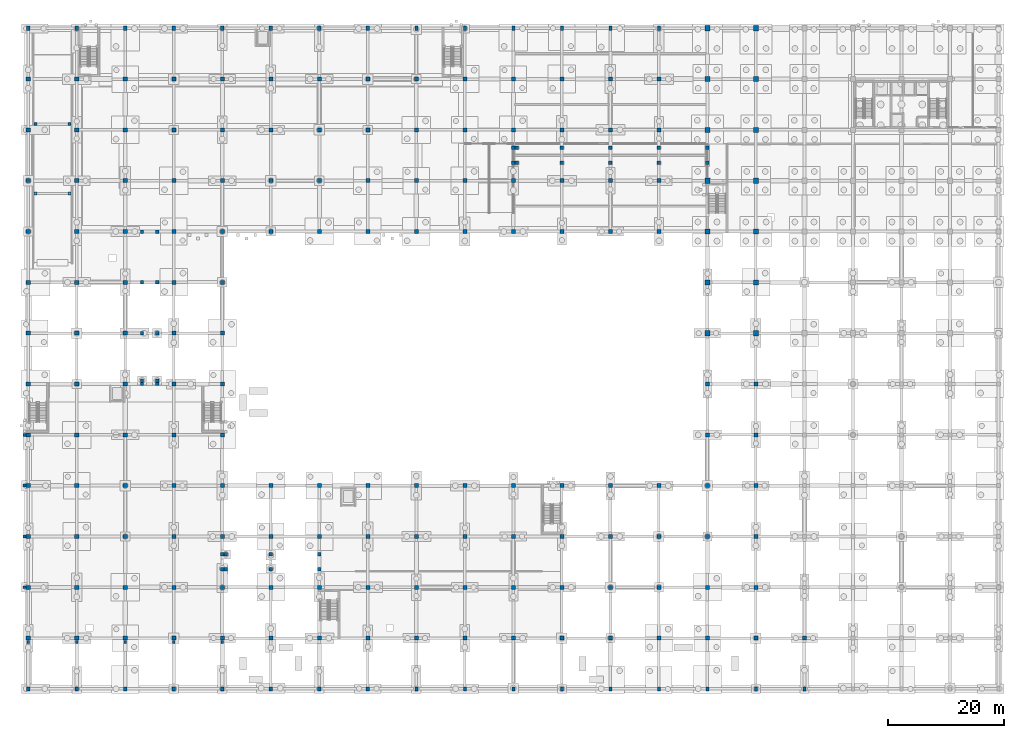
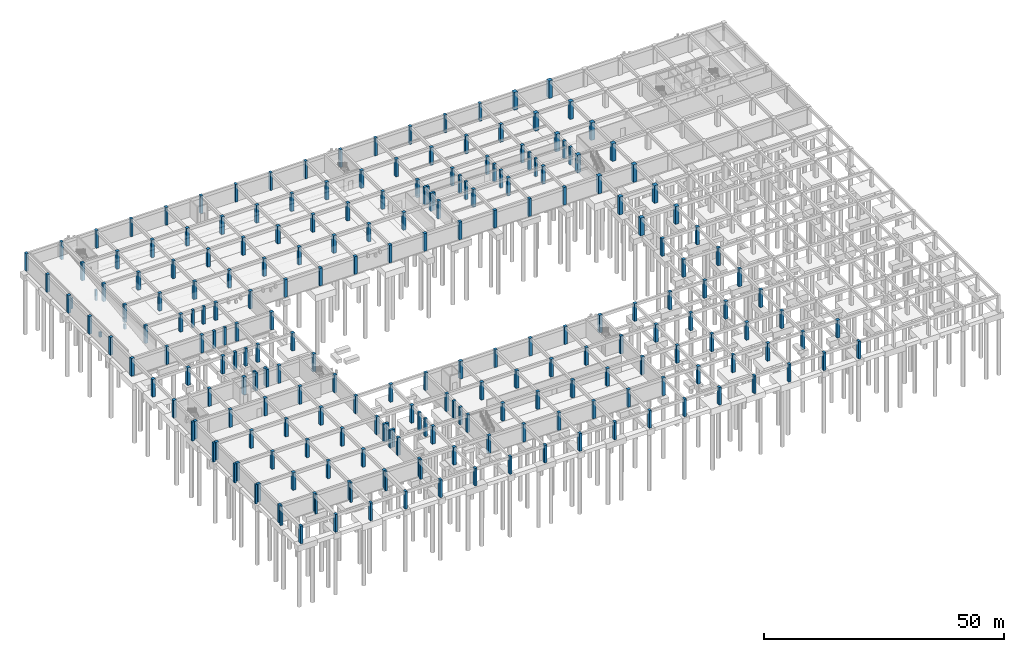
# One storey, part 13 of 41: 233 columns.
"""IFC4 building model written with IfcOpenShell, lengths in metres."""

from ifc_helpers import new_model, si_unit, direction, frame, origin, origin_2d, place, context, subcontext, project, spatial, rectangle, extrude, material, material_profile, profile_set, type_object, element, save


model = new_model("IFC4")

# Units and contexts
model_context = context("Model", 3, precision=1e-05, world=origin(), true_north=direction((0.0, 1.0)))
body_context = subcontext(model_context, "Body", "Model", "MODEL_VIEW")
ifc_project = project(units=[si_unit("LENGTHUNIT", "METRE"), si_unit("AREAUNIT", "SQUARE_METRE"), si_unit("VOLUMEUNIT", "CUBIC_METRE"), si_unit("PLANEANGLEUNIT", "RADIAN"), si_unit("MASSUNIT", "GRAM", prefix="KILO")], contexts=[model_context])

# Site, building, storey
site_placement = place(None, origin())
site = spatial("IfcSite", under=ifc_project, at=site_placement, CompositionType="ELEMENT")
building_placement = place(site_placement, origin())
building = spatial("IfcBuilding", under=site, at=building_placement, Name="Kemercrest Conservatory and Botanical Centre", CompositionType="ELEMENT")
storey_placement = place(building_placement, frame((0.0, 0.0, -4.5)))
storey = spatial("IfcBuildingStorey", under=building, at=storey_placement, Name="B1", CompositionType="ELEMENT", Elevation=-4.5)

# Columns
ifc_material_1 = material(Name="Concrete C40/50", Category="concrete")
ifc_material_profile_1 = material_profile(ifc_material_1, rectangle(XDim=0.5, YDim=0.5, at=origin_2d()), Name="RC 500x500")
ifc_profile_set_1 = profile_set([ifc_material_profile_1], Name="Concrete C40/50")
column_type_1 = type_object("IfcColumnType", Name="C-RC50", PredefinedType="COLUMN", material=ifc_profile_set_1)
for number, where, z_axis, x_axis, name in (
    (1, (8.0, 16.159912109375, -0.409912109375), (0.0, 0.0, 1.0), (1.0, 0.0, 0.0), "Basement pilaster pier 01/B"),
    (2, (16.39990234375, 16.159912109375, -0.409912109375), (0.0, 0.0, 1.0), (1.0, 0.0, 0.0), "Basement pilaster pier 02/B"),
    (3, (24.800048828125, 16.159912109375, -0.409912109375), (0.0, 0.0, 1.0), (1.0, 0.0, 0.0), "Basement pilaster pier 03/B"),
    (4, (33.199951171875, 16.159912109375, -0.409912109375), (0.0, 0.0, 1.0), (1.0, 0.0, 0.0), "Basement pilaster pier 04/B"),
    (5, (41.60009765625, 16.159912109375, -0.409912109375), (0.0, 0.0, 1.0), (1.0, 0.0, 0.0), "Basement pilaster pier 05/B"),
    (6, (7.360107421875, 25.60009765625, -0.409912109375), (0.0, 0.0, 1.0), (1.0, 0.0, 0.0), "Basement pilaster pier 01/C"),
    (7, (7.360107421875, 34.39990234375, -0.409912109375), (0.0, 0.0, 1.0), (1.0, 0.0, 0.0), "Basement pilaster pier 01/D"),
    (8, (7.360107421875, 43.199951171875, -0.409912109375), (0.0, 0.0, 1.0), (1.0, 0.0, 0.0), "Basement pilaster pier 01/E"),
    (9, (7.360107421875, 52.0, -0.409912109375), (0.0, 0.0, 1.0), (1.0, 0.0, 0.0), "Basement pilaster pier 01/F"),
):
    element("IfcColumn", number, at=place(storey_placement, frame(where, z_axis=z_axis, x_axis=x_axis)), inside=storey, type_object=column_type_1, Name=name, PredefinedType="COLUMN", context=body_context, shape_type="SweptSolid", body=[
        extrude(rectangle(XDim=0.5, YDim=0.5, at=origin_2d()), origin(), (0.0, 0.0, 1.0), 4.909912109375),
    ])
for number, where, z_axis, x_axis, name in (
    (10, (9.25, 93.800048828125, 0.0), (0.0, 0.0, 1.0), (1.0, 0.0, 0.0), "Vehicle ramp R1 support pier 1-W"),
    (11, (15.14990234375, 93.800048828125, 0.0), (0.0, 0.0, 1.0), (1.0, 0.0, 0.0), "Vehicle ramp R1 support pier 1-E"),
):
    element("IfcColumn", number, at=place(storey_placement, frame(where, z_axis=z_axis, x_axis=x_axis)), inside=storey, type_object=column_type_1, Name=name, PredefinedType="COLUMN", context=body_context, shape_type="SweptSolid", body=[
        extrude(rectangle(XDim=0.5, YDim=0.5, at=origin_2d()), origin(), (0.0, 0.0, 1.0), 1.199951171875),
    ])
for number, where, z_axis, x_axis, name in (
    (12, (9.25, 105.800048828125, 0.0), (0.0, 0.0, 1.0), (1.0, 0.0, 0.0), "Vehicle ramp R1 support pier 2-W"),
    (13, (15.14990234375, 105.800048828125, 0.0), (0.0, 0.0, 1.0), (1.0, 0.0, 0.0), "Vehicle ramp R1 support pier 2-E"),
):
    element("IfcColumn", number, at=place(storey_placement, frame(where, z_axis=z_axis, x_axis=x_axis)), inside=storey, type_object=column_type_1, Name=name, PredefinedType="COLUMN", context=body_context, shape_type="SweptSolid", body=[
        extrude(rectangle(XDim=0.5, YDim=0.5, at=origin_2d()), origin(), (0.0, 0.0, 1.0), 2.699951171875),
    ])
ifc_material_profile_2 = material_profile(ifc_material_1, rectangle(XDim=0.60009765625, YDim=0.60009765625, at=origin_2d()), Name="RC 600x600")
ifc_profile_set_2 = profile_set([ifc_material_profile_2], Name="Concrete C40/50")
column_type_2 = type_object("IfcColumnType", Name="C-RC60", PredefinedType="COLUMN", material=ifc_profile_set_2)
for number, where, z_axis, x_axis, name in (
    (14, (42.199951171875, 28.699951171875, 0.0), (0.0, 0.0, 1.0), (1.0, 0.0, 0.0), "Basement bridge pier column SJ-1-P0-1"),
    (15, (42.199951171875, 31.300048828125, 0.0), (0.0, 0.0, 1.0), (1.0, 0.0, 0.0), "Basement bridge pier column SJ-1-P0-2"),
    (16, (50.0, 28.699951171875, 0.0), (0.0, 0.0, 1.0), (1.0, 0.0, 0.0), "Basement bridge pier column SJ-1-P1-1"),
    (17, (50.0, 31.300048828125, 0.0), (0.0, 0.0, 1.0), (1.0, 0.0, 0.0), "Basement bridge pier column SJ-1-P1-2"),
    (18, (27.699951171875, 61.39990234375, 0.0), (0.0, 0.0, 1.0), (1.0, 0.0, 0.0), "Basement bridge pier column SJ-2-P0-1"),
    (19, (30.300048828125, 61.39990234375, 0.0), (0.0, 0.0, 1.0), (1.0, 0.0, 0.0), "Basement bridge pier column SJ-2-P0-2"),
    (20, (27.699951171875, 69.60009765625, 0.0), (0.0, 0.0, 1.0), (1.0, 0.0, 0.0), "Basement bridge pier column SJ-2-P1-1"),
    (21, (30.300048828125, 69.60009765625, 0.0), (0.0, 0.0, 1.0), (1.0, 0.0, 0.0), "Basement bridge pier column SJ-2-P1-2"),
    (22, (27.699951171875, 78.39990234375, 0.0), (0.0, 0.0, 1.0), (1.0, 0.0, 0.0), "Basement bridge pier column SJ-2-P2-1"),
    (23, (30.300048828125, 78.39990234375, 0.0), (0.0, 0.0, 1.0), (1.0, 0.0, 0.0), "Basement bridge pier column SJ-2-P2-2"),
    (24, (92.60009765625, 99.10009765625, 0.0), (0.0, 0.0, 1.0), (1.0, 0.0, 0.0), "Basement bridge pier column SJ-3-P0-1"),
    (25, (92.60009765625, 101.699951171875, 0.0), (0.0, 0.0, 1.0), (1.0, 0.0, 0.0), "Basement bridge pier column SJ-3-P0-2"),
    (26, (100.39990234375, 99.10009765625, 0.0), (0.0, 0.0, 1.0), (1.0, 0.0, 0.0), "Basement bridge pier column SJ-3-P1-1"),
    (27, (100.39990234375, 101.699951171875, 0.0), (0.0, 0.0, 1.0), (1.0, 0.0, 0.0), "Basement bridge pier column SJ-3-P1-2"),
    (28, (108.800048828125, 99.10009765625, 0.0), (0.0, 0.0, 1.0), (1.0, 0.0, 0.0), "Basement bridge pier column SJ-3-P2-1"),
    (29, (108.800048828125, 101.699951171875, 0.0), (0.0, 0.0, 1.0), (1.0, 0.0, 0.0), "Basement bridge pier column SJ-3-P2-2"),
    (30, (117.199951171875, 99.10009765625, 0.0), (0.0, 0.0, 1.0), (1.0, 0.0, 0.0), "Basement bridge pier column SJ-3-P3-1"),
    (31, (117.199951171875, 101.699951171875, 0.0), (0.0, 0.0, 1.0), (1.0, 0.0, 0.0), "Basement bridge pier column SJ-3-P3-2"),
    (32, (41.60009765625, 28.699951171875, 0.0), (0.0, 0.0, 1.0), (1.0, 0.0, 0.0), "South Courtyard Covered Passage SJ-1 org pier column 1"),
    (33, (41.60009765625, 31.300048828125, 0.0), (0.0, 0.0, 1.0), (1.0, 0.0, 0.0), "South Courtyard Covered Passage SJ-1 org pier column 2"),
    (34, (58.39990234375, 28.699951171875, 0.0), (0.0, 0.0, 1.0), (1.0, 0.0, 0.0), "South Courtyard Covered Passage SJ-1 rcv pier column 1"),
    (35, (58.39990234375, 31.300048828125, 0.0), (0.0, 0.0, 1.0), (1.0, 0.0, 0.0), "South Courtyard Covered Passage SJ-1 rcv pier column 2"),
    (36, (27.699951171875, 60.800048828125, 0.0), (0.0, 0.0, 1.0), (1.0, 0.0, 0.0), "West Botanical Court Covered Passage SJ-2 org pier column 1"),
    (37, (30.300048828125, 60.800048828125, 0.0), (0.0, 0.0, 1.0), (1.0, 0.0, 0.0), "West Botanical Court Covered Passage SJ-2 org pier column 2"),
    (38, (27.699951171875, 87.199951171875, 0.0), (0.0, 0.0, 1.0), (1.0, 0.0, 0.0), "West Botanical Court Covered Passage SJ-2 rcv pier column 1"),
    (39, (30.300048828125, 87.199951171875, 0.0), (0.0, 0.0, 1.0), (1.0, 0.0, 0.0), "West Botanical Court Covered Passage SJ-2 rcv pier column 2"),
    (40, (92.0, 99.10009765625, 0.0), (0.0, 0.0, 1.0), (1.0, 0.0, 0.0), "North Courtyard Covered Passage SJ-3 org pier column 1"),
    (41, (92.0, 101.699951171875, 0.0), (0.0, 0.0, 1.0), (1.0, 0.0, 0.0), "North Courtyard Covered Passage SJ-3 org pier column 2"),
    (42, (125.60009765625, 99.10009765625, 0.0), (0.0, 0.0, 1.0), (1.0, 0.0, 0.0), "North Courtyard Covered Passage SJ-3 rcv pier column 1"),
    (43, (125.60009765625, 101.699951171875, 0.0), (0.0, 0.0, 1.0), (1.0, 0.0, 0.0), "North Courtyard Covered Passage SJ-3 rcv pier column 2"),
):
    element("IfcColumn", number, at=place(storey_placement, frame(where, z_axis=z_axis, x_axis=x_axis)), inside=storey, type_object=column_type_2, Name=name, PredefinedType="COLUMN", context=body_context, shape_type="SweptSolid", body=[
        extrude(rectangle(XDim=0.60009765625, YDim=0.60009765625, at=origin_2d()), origin(), (0.0, 0.0, 1.0), 4.5),
    ])
ifc_material_2 = material(Name="Concrete C50/60", Category="concrete")
ifc_material_profile_3 = material_profile(ifc_material_2, rectangle(XDim=0.699951171875, YDim=0.699951171875, at=origin_2d()), Name="RC 700x700")
ifc_profile_set_3 = profile_set([ifc_material_profile_3], Name="Concrete C50/60")
column_type_3 = type_object("IfcColumnType", Name="C-RC70", PredefinedType="COLUMN", material=ifc_profile_set_3)
for number, where, z_axis, x_axis, name in (
    (44, (8.0, 16.800048828125, 0.0), (0.0, 0.0, 1.0), (1.0, 0.0, 0.0), "Basement column C-RC70 at 01/B"),
    (45, (8.0, 25.60009765625, 0.0), (0.0, 0.0, 1.0), (1.0, 0.0, 0.0), "Basement column C-RC70 at 01/C"),
    (46, (8.0, 34.39990234375, 0.0), (0.0, 0.0, 1.0), (1.0, 0.0, 0.0), "Basement column C-RC70 at 01/D"),
    (47, (8.0, 43.199951171875, 0.0), (0.0, 0.0, 1.0), (1.0, 0.0, 0.0), "Basement column C-RC70 at 01/E"),
    (48, (8.0, 52.0, 0.0), (0.0, 0.0, 1.0), (1.0, 0.0, 0.0), "Basement column C-RC70 at 01/F"),
    (49, (8.0, 60.800048828125, 0.0), (0.0, 0.0, 1.0), (1.0, 0.0, 0.0), "Basement column C-RC70 at 01/G"),
    (50, (8.0, 69.60009765625, 0.0), (0.0, 0.0, 1.0), (1.0, 0.0, 0.0), "Basement column C-RC70 at 01/H"),
    (51, (8.0, 78.39990234375, 0.0), (0.0, 0.0, 1.0), (1.0, 0.0, 0.0), "Basement column C-RC70 at 01/J"),
    (52, (8.0, 87.199951171875, 0.0), (0.0, 0.0, 1.0), (1.0, 0.0, 0.0), "Basement column C-RC70 at 01/K"),
    (53, (8.0, 96.0, 0.0), (0.0, 0.0, 1.0), (1.0, 0.0, 0.0), "Basement column C-RC70 at 01/L"),
    (54, (8.0, 104.800048828125, 0.0), (0.0, 0.0, 1.0), (1.0, 0.0, 0.0), "Basement column C-RC70 at 01/M"),
    (55, (8.0, 113.60009765625, 0.0), (0.0, 0.0, 1.0), (1.0, 0.0, 0.0), "Basement column C-RC70 at 01/N"),
    (56, (16.39990234375, 16.800048828125, 0.0), (0.0, 0.0, 1.0), (1.0, 0.0, 0.0), "Basement column C-RC70 at 02/B"),
    (57, (16.39990234375, 25.60009765625, 0.0), (0.0, 0.0, 1.0), (1.0, 0.0, 0.0), "Basement column C-RC70 at 02/C"),
    (58, (16.39990234375, 34.39990234375, 0.0), (0.0, 0.0, 1.0), (1.0, 0.0, 0.0), "Basement column C-RC70 at 02/D"),
    (59, (16.39990234375, 43.199951171875, 0.0), (0.0, 0.0, 1.0), (1.0, 0.0, 0.0), "Basement column C-RC70 at 02/E"),
    (60, (16.39990234375, 52.0, 0.0), (0.0, 0.0, 1.0), (1.0, 0.0, 0.0), "Basement column C-RC70 at 02/F"),
    (61, (16.39990234375, 60.800048828125, 0.0), (0.0, 0.0, 1.0), (1.0, 0.0, 0.0), "Basement column C-RC70 at 02/G"),
    (62, (16.39990234375, 69.60009765625, 0.0), (0.0, 0.0, 1.0), (1.0, 0.0, 0.0), "Basement column C-RC70 at 02/H"),
    (63, (16.39990234375, 78.39990234375, 0.0), (0.0, 0.0, 1.0), (1.0, 0.0, 0.0), "Basement column C-RC70 at 02/J"),
    (64, (16.39990234375, 87.199951171875, 0.0), (0.0, 0.0, 1.0), (1.0, 0.0, 0.0), "Basement column C-RC70 at 02/K"),
    (65, (16.39990234375, 96.0, 0.0), (0.0, 0.0, 1.0), (1.0, 0.0, 0.0), "Basement column C-RC70 at 02/L"),
    (66, (16.39990234375, 104.800048828125, 0.0), (0.0, 0.0, 1.0), (1.0, 0.0, 0.0), "Basement column C-RC70 at 02/M"),
    (67, (16.39990234375, 113.60009765625, 0.0), (0.0, 0.0, 1.0), (1.0, 0.0, 0.0), "Basement column C-RC70 at 02/N"),
    (68, (24.800048828125, 16.800048828125, 0.0), (0.0, 0.0, 1.0), (1.0, 0.0, 0.0), "Basement column C-RC70 at 03/B"),
    (69, (24.800048828125, 25.60009765625, 0.0), (0.0, 0.0, 1.0), (1.0, 0.0, 0.0), "Basement column C-RC70 at 03/C"),
    (70, (24.800048828125, 34.39990234375, 0.0), (0.0, 0.0, 1.0), (1.0, 0.0, 0.0), "Basement column C-RC70 at 03/D"),
    (71, (24.800048828125, 43.199951171875, 0.0), (0.0, 0.0, 1.0), (1.0, 0.0, 0.0), "Basement column C-RC70 at 03/E"),
    (72, (24.800048828125, 52.0, 0.0), (0.0, 0.0, 1.0), (1.0, 0.0, 0.0), "Basement column C-RC70 at 03/F"),
    (73, (24.800048828125, 60.800048828125, 0.0), (0.0, 0.0, 1.0), (1.0, 0.0, 0.0), "Basement column C-RC70 at 03/G"),
    (74, (24.800048828125, 69.60009765625, 0.0), (0.0, 0.0, 1.0), (1.0, 0.0, 0.0), "Basement column C-RC70 at 03/H"),
    (75, (24.800048828125, 78.39990234375, 0.0), (0.0, 0.0, 1.0), (1.0, 0.0, 0.0), "Basement column C-RC70 at 03/J"),
    (76, (24.800048828125, 87.199951171875, 0.0), (0.0, 0.0, 1.0), (1.0, 0.0, 0.0), "Basement column C-RC70 at 03/K"),
    (77, (24.800048828125, 96.0, 0.0), (0.0, 0.0, 1.0), (1.0, 0.0, 0.0), "Basement column C-RC70 at 03/L"),
    (78, (24.800048828125, 104.800048828125, 0.0), (0.0, 0.0, 1.0), (1.0, 0.0, 0.0), "Basement column C-RC70 at 03/M"),
    (79, (24.800048828125, 113.60009765625, 0.0), (0.0, 0.0, 1.0), (1.0, 0.0, 0.0), "Basement column C-RC70 at 03/N"),
    (80, (33.199951171875, 16.800048828125, 0.0), (0.0, 0.0, 1.0), (1.0, 0.0, 0.0), "Basement column C-RC70 at 04/B"),
    (81, (33.199951171875, 25.60009765625, 0.0), (0.0, 0.0, 1.0), (1.0, 0.0, 0.0), "Basement column C-RC70 at 04/C"),
    (82, (33.199951171875, 34.39990234375, 0.0), (0.0, 0.0, 1.0), (1.0, 0.0, 0.0), "Basement column C-RC70 at 04/D"),
    (83, (33.199951171875, 43.199951171875, 0.0), (0.0, 0.0, 1.0), (1.0, 0.0, 0.0), "Basement column C-RC70 at 04/E"),
    (84, (33.199951171875, 52.0, 0.0), (0.0, 0.0, 1.0), (1.0, 0.0, 0.0), "Basement column C-RC70 at 04/F"),
    (85, (33.199951171875, 60.800048828125, 0.0), (0.0, 0.0, 1.0), (1.0, 0.0, 0.0), "Basement column C-RC70 at 04/G"),
    (86, (33.199951171875, 69.60009765625, 0.0), (0.0, 0.0, 1.0), (1.0, 0.0, 0.0), "Basement column C-RC70 at 04/H"),
    (87, (33.199951171875, 78.39990234375, 0.0), (0.0, 0.0, 1.0), (1.0, 0.0, 0.0), "Basement column C-RC70 at 04/J"),
    (88, (33.199951171875, 87.199951171875, 0.0), (0.0, 0.0, 1.0), (1.0, 0.0, 0.0), "Basement column C-RC70 at 04/K"),
    (89, (33.199951171875, 96.0, 0.0), (0.0, 0.0, 1.0), (1.0, 0.0, 0.0), "Basement column C-RC70 at 04/L"),
    (90, (33.199951171875, 104.800048828125, 0.0), (0.0, 0.0, 1.0), (1.0, 0.0, 0.0), "Basement column C-RC70 at 04/M"),
    (91, (33.199951171875, 113.60009765625, 0.0), (0.0, 0.0, 1.0), (1.0, 0.0, 0.0), "Basement column C-RC70 at 04/N"),
    (92, (41.60009765625, 16.800048828125, 0.0), (0.0, 0.0, 1.0), (1.0, 0.0, 0.0), "Basement column C-RC70 at 05/B"),
    (93, (41.60009765625, 25.60009765625, 0.0), (0.0, 0.0, 1.0), (1.0, 0.0, 0.0), "Basement column C-RC70 at 05/C"),
    (94, (41.60009765625, 34.39990234375, 0.0), (0.0, 0.0, 1.0), (1.0, 0.0, 0.0), "Basement column C-RC70 at 05/D"),
    (95, (41.60009765625, 43.199951171875, 0.0), (0.0, 0.0, 1.0), (1.0, 0.0, 0.0), "Basement column C-RC70 at 05/E"),
    (96, (41.60009765625, 52.0, 0.0), (0.0, 0.0, 1.0), (1.0, 0.0, 0.0), "Basement column C-RC70 at 05/F"),
    (97, (41.60009765625, 60.800048828125, 0.0), (0.0, 0.0, 1.0), (1.0, 0.0, 0.0), "Basement column C-RC70 at 05/G"),
    (98, (41.60009765625, 69.60009765625, 0.0), (0.0, 0.0, 1.0), (1.0, 0.0, 0.0), "Basement column C-RC70 at 05/H"),
    (99, (41.60009765625, 78.39990234375, 0.0), (0.0, 0.0, 1.0), (1.0, 0.0, 0.0), "Basement column C-RC70 at 05/J"),
    (100, (41.60009765625, 87.199951171875, 0.0), (0.0, 0.0, 1.0), (1.0, 0.0, 0.0), "Basement column C-RC70 at 05/K"),
    (101, (41.60009765625, 96.0, 0.0), (0.0, 0.0, 1.0), (1.0, 0.0, 0.0), "Basement column C-RC70 at 05/L"),
    (102, (41.60009765625, 104.800048828125, 0.0), (0.0, 0.0, 1.0), (1.0, 0.0, 0.0), "Basement column C-RC70 at 05/M"),
    (103, (41.60009765625, 113.60009765625, 0.0), (0.0, 0.0, 1.0), (1.0, 0.0, 0.0), "Basement column C-RC70 at 05/N"),
    (104, (50.0, 16.800048828125, 0.0), (0.0, 0.0, 1.0), (1.0, 0.0, 0.0), "Basement column C-RC70 at 06/B"),
    (105, (50.0, 25.60009765625, 0.0), (0.0, 0.0, 1.0), (1.0, 0.0, 0.0), "Basement column C-RC70 at 06/C"),
    (106, (50.0, 34.39990234375, 0.0), (0.0, 0.0, 1.0), (1.0, 0.0, 0.0), "Basement column C-RC70 at 06/D"),
    (107, (50.0, 43.199951171875, 0.0), (0.0, 0.0, 1.0), (1.0, 0.0, 0.0), "Basement column C-RC70 at 06/E"),
    (108, (50.0, 87.199951171875, 0.0), (0.0, 0.0, 1.0), (1.0, 0.0, 0.0), "Basement column C-RC70 at 06/K"),
    (109, (50.0, 96.0, 0.0), (0.0, 0.0, 1.0), (1.0, 0.0, 0.0), "Basement column C-RC70 at 06/L"),
    (110, (50.0, 104.800048828125, 0.0), (0.0, 0.0, 1.0), (1.0, 0.0, 0.0), "Basement column C-RC70 at 06/M"),
    (111, (50.0, 113.60009765625, 0.0), (0.0, 0.0, 1.0), (1.0, 0.0, 0.0), "Basement column C-RC70 at 06/N"),
    (112, (58.39990234375, 16.800048828125, 0.0), (0.0, 0.0, 1.0), (1.0, 0.0, 0.0), "Basement column C-RC70 at 07/B"),
    (113, (58.39990234375, 25.60009765625, 0.0), (0.0, 0.0, 1.0), (1.0, 0.0, 0.0), "Basement column C-RC70 at 07/C"),
    (114, (58.39990234375, 34.39990234375, 0.0), (0.0, 0.0, 1.0), (1.0, 0.0, 0.0), "Basement column C-RC70 at 07/D"),
    (115, (58.39990234375, 43.199951171875, 0.0), (0.0, 0.0, 1.0), (1.0, 0.0, 0.0), "Basement column C-RC70 at 07/E"),
    (116, (58.39990234375, 87.199951171875, 0.0), (0.0, 0.0, 1.0), (1.0, 0.0, 0.0), "Basement column C-RC70 at 07/K"),
    (117, (58.39990234375, 96.0, 0.0), (0.0, 0.0, 1.0), (1.0, 0.0, 0.0), "Basement column C-RC70 at 07/L"),
    (118, (58.39990234375, 104.800048828125, 0.0), (0.0, 0.0, 1.0), (1.0, 0.0, 0.0), "Basement column C-RC70 at 07/M"),
    (119, (58.39990234375, 113.60009765625, 0.0), (0.0, 0.0, 1.0), (1.0, 0.0, 0.0), "Basement column C-RC70 at 07/N"),
    (120, (66.800048828125, 16.800048828125, 0.0), (0.0, 0.0, 1.0), (1.0, 0.0, 0.0), "Basement column C-RC70 at 08/B"),
    (121, (66.800048828125, 25.60009765625, 0.0), (0.0, 0.0, 1.0), (1.0, 0.0, 0.0), "Basement column C-RC70 at 08/C"),
    (122, (66.800048828125, 34.39990234375, 0.0), (0.0, 0.0, 1.0), (1.0, 0.0, 0.0), "Basement column C-RC70 at 08/D"),
    (123, (66.800048828125, 43.199951171875, 0.0), (0.0, 0.0, 1.0), (1.0, 0.0, 0.0), "Basement column C-RC70 at 08/E"),
    (124, (66.800048828125, 87.199951171875, 0.0), (0.0, 0.0, 1.0), (1.0, 0.0, 0.0), "Basement column C-RC70 at 08/K"),
    (125, (66.800048828125, 96.0, 0.0), (0.0, 0.0, 1.0), (1.0, 0.0, 0.0), "Basement column C-RC70 at 08/L"),
    (126, (66.800048828125, 104.800048828125, 0.0), (0.0, 0.0, 1.0), (1.0, 0.0, 0.0), "Basement column C-RC70 at 08/M"),
    (127, (66.800048828125, 113.60009765625, 0.0), (0.0, 0.0, 1.0), (1.0, 0.0, 0.0), "Basement column C-RC70 at 08/N"),
    (128, (75.199951171875, 16.800048828125, 0.0), (0.0, 0.0, 1.0), (1.0, 0.0, 0.0), "Basement column C-RC70 at 09/B"),
    (129, (75.199951171875, 25.60009765625, 0.0), (0.0, 0.0, 1.0), (1.0, 0.0, 0.0), "Basement column C-RC70 at 09/C"),
    (130, (75.199951171875, 34.39990234375, 0.0), (0.0, 0.0, 1.0), (1.0, 0.0, 0.0), "Basement column C-RC70 at 09/D"),
    (131, (75.199951171875, 43.199951171875, 0.0), (0.0, 0.0, 1.0), (1.0, 0.0, 0.0), "Basement column C-RC70 at 09/E"),
    (132, (75.199951171875, 87.199951171875, 0.0), (0.0, 0.0, 1.0), (1.0, 0.0, 0.0), "Basement column C-RC70 at 09/K"),
    (133, (75.199951171875, 96.0, 0.0), (0.0, 0.0, 1.0), (1.0, 0.0, 0.0), "Basement column C-RC70 at 09/L"),
    (134, (75.199951171875, 104.800048828125, 0.0), (0.0, 0.0, 1.0), (1.0, 0.0, 0.0), "Basement column C-RC70 at 09/M"),
    (135, (75.199951171875, 113.60009765625, 0.0), (0.0, 0.0, 1.0), (1.0, 0.0, 0.0), "Basement column C-RC70 at 09/N"),
    (136, (83.60009765625, 16.800048828125, 0.0), (0.0, 0.0, 1.0), (1.0, 0.0, 0.0), "Basement column C-RC70 at 10/B"),
    (137, (83.60009765625, 25.60009765625, 0.0), (0.0, 0.0, 1.0), (1.0, 0.0, 0.0), "Basement column C-RC70 at 10/C"),
    (138, (83.60009765625, 34.39990234375, 0.0), (0.0, 0.0, 1.0), (1.0, 0.0, 0.0), "Basement column C-RC70 at 10/D"),
    (139, (83.60009765625, 43.199951171875, 0.0), (0.0, 0.0, 1.0), (1.0, 0.0, 0.0), "Basement column C-RC70 at 10/E"),
    (140, (83.60009765625, 87.199951171875, 0.0), (0.0, 0.0, 1.0), (1.0, 0.0, 0.0), "Basement column C-RC70 at 10/K"),
    (141, (83.60009765625, 96.0, 0.0), (0.0, 0.0, 1.0), (1.0, 0.0, 0.0), "Basement column C-RC70 at 10/L"),
    (142, (83.60009765625, 104.800048828125, 0.0), (0.0, 0.0, 1.0), (1.0, 0.0, 0.0), "Basement column C-RC70 at 10/M"),
    (143, (83.60009765625, 113.60009765625, 0.0), (0.0, 0.0, 1.0), (1.0, 0.0, 0.0), "Basement column C-RC70 at 10/N"),
    (144, (92.0, 16.800048828125, 0.0), (0.0, 0.0, 1.0), (1.0, 0.0, 0.0), "Basement column C-RC70 at 11/B"),
    (145, (92.0, 25.60009765625, 0.0), (0.0, 0.0, 1.0), (1.0, 0.0, 0.0), "Basement column C-RC70 at 11/C"),
    (146, (92.0, 34.39990234375, 0.0), (0.0, 0.0, 1.0), (1.0, 0.0, 0.0), "Basement column C-RC70 at 11/D"),
    (147, (92.0, 43.199951171875, 0.0), (0.0, 0.0, 1.0), (1.0, 0.0, 0.0), "Basement column C-RC70 at 11/E"),
    (148, (92.0, 87.199951171875, 0.0), (0.0, 0.0, 1.0), (1.0, 0.0, 0.0), "Basement column C-RC70 at 11/K"),
    (149, (92.0, 96.0, 0.0), (0.0, 0.0, 1.0), (1.0, 0.0, 0.0), "Basement column C-RC70 at 11/L"),
    (150, (92.0, 104.800048828125, 0.0), (0.0, 0.0, 1.0), (1.0, 0.0, 0.0), "Basement column C-RC70 at 11/M"),
    (151, (92.0, 113.60009765625, 0.0), (0.0, 0.0, 1.0), (1.0, 0.0, 0.0), "Basement column C-RC70 at 11/N"),
    (152, (100.39990234375, 16.800048828125, 0.0), (0.0, 0.0, 1.0), (1.0, 0.0, 0.0), "Basement column C-RC70 at 12/B"),
    (153, (100.39990234375, 25.60009765625, 0.0), (0.0, 0.0, 1.0), (1.0, 0.0, 0.0), "Basement column C-RC70 at 12/C"),
    (154, (100.39990234375, 34.39990234375, 0.0), (0.0, 0.0, 1.0), (1.0, 0.0, 0.0), "Basement column C-RC70 at 12/D"),
    (155, (100.39990234375, 43.199951171875, 0.0), (0.0, 0.0, 1.0), (1.0, 0.0, 0.0), "Basement column C-RC70 at 12/E"),
    (156, (100.39990234375, 87.199951171875, 0.0), (0.0, 0.0, 1.0), (1.0, 0.0, 0.0), "Basement column C-RC70 at 12/K"),
    (157, (100.39990234375, 96.0, 0.0), (0.0, 0.0, 1.0), (1.0, 0.0, 0.0), "Basement column C-RC70 at 12/L"),
    (158, (100.39990234375, 104.800048828125, 0.0), (0.0, 0.0, 1.0), (1.0, 0.0, 0.0), "Basement column C-RC70 at 12/M"),
    (159, (100.39990234375, 113.60009765625, 0.0), (0.0, 0.0, 1.0), (1.0, 0.0, 0.0), "Basement column C-RC70 at 12/N"),
    (160, (108.800048828125, 16.800048828125, 0.0), (0.0, 0.0, 1.0), (1.0, 0.0, 0.0), "Basement column C-RC70 at 13/B"),
    (161, (108.800048828125, 25.60009765625, 0.0), (0.0, 0.0, 1.0), (1.0, 0.0, 0.0), "Basement column C-RC70 at 13/C"),
    (162, (108.800048828125, 34.39990234375, 0.0), (0.0, 0.0, 1.0), (1.0, 0.0, 0.0), "Basement column C-RC70 at 13/D"),
    (163, (108.800048828125, 43.199951171875, 0.0), (0.0, 0.0, 1.0), (1.0, 0.0, 0.0), "Basement column C-RC70 at 13/E"),
    (164, (108.800048828125, 87.199951171875, 0.0), (0.0, 0.0, 1.0), (1.0, 0.0, 0.0), "Basement column C-RC70 at 13/K"),
    (165, (108.800048828125, 96.0, 0.0), (0.0, 0.0, 1.0), (1.0, 0.0, 0.0), "Basement column C-RC70 at 13/L"),
    (166, (108.800048828125, 104.800048828125, 0.0), (0.0, 0.0, 1.0), (1.0, 0.0, 0.0), "Basement column C-RC70 at 13/M"),
    (167, (108.800048828125, 113.60009765625, 0.0), (0.0, 0.0, 1.0), (1.0, 0.0, 0.0), "Basement column C-RC70 at 13/N"),
    (168, (117.199951171875, 16.800048828125, 0.0), (0.0, 0.0, 1.0), (1.0, 0.0, 0.0), "Basement column C-RC70 at 14/B"),
    (169, (117.199951171875, 25.60009765625, 0.0), (0.0, 0.0, 1.0), (1.0, 0.0, 0.0), "Basement column C-RC70 at 14/C"),
    (170, (117.199951171875, 34.39990234375, 0.0), (0.0, 0.0, 1.0), (1.0, 0.0, 0.0), "Basement column C-RC70 at 14/D"),
    (171, (117.199951171875, 43.199951171875, 0.0), (0.0, 0.0, 1.0), (1.0, 0.0, 0.0), "Basement column C-RC70 at 14/E"),
    (172, (117.199951171875, 87.199951171875, 0.0), (0.0, 0.0, 1.0), (1.0, 0.0, 0.0), "Basement column C-RC70 at 14/K"),
    (173, (117.199951171875, 96.0, 0.0), (0.0, 0.0, 1.0), (1.0, 0.0, 0.0), "Basement column C-RC70 at 14/L"),
    (174, (117.199951171875, 104.800048828125, 0.0), (0.0, 0.0, 1.0), (1.0, 0.0, 0.0), "Basement column C-RC70 at 14/M"),
    (175, (117.199951171875, 113.60009765625, 0.0), (0.0, 0.0, 1.0), (1.0, 0.0, 0.0), "Basement column C-RC70 at 14/N"),
    (176, (125.60009765625, 16.800048828125, 0.0), (0.0, 0.0, 1.0), (1.0, 0.0, 0.0), "Basement column C-RC70 at 15/B"),
    (177, (125.60009765625, 25.60009765625, 0.0), (0.0, 0.0, 1.0), (1.0, 0.0, 0.0), "Basement column C-RC70 at 15/C"),
    (178, (125.60009765625, 34.39990234375, 0.0), (0.0, 0.0, 1.0), (1.0, 0.0, 0.0), "Basement column C-RC70 at 15/D"),
    (179, (125.60009765625, 43.199951171875, 0.0), (0.0, 0.0, 1.0), (1.0, 0.0, 0.0), "Basement column C-RC70 at 15/E"),
    (180, (125.60009765625, 52.0, 0.0), (0.0, 0.0, 1.0), (1.0, 0.0, 0.0), "Basement column C-RC70 at 15/F"),
    (181, (125.60009765625, 60.800048828125, 0.0), (0.0, 0.0, 1.0), (1.0, 0.0, 0.0), "Basement column C-RC70 at 15/G"),
    (182, (134.0, 16.800048828125, 0.0), (0.0, 0.0, 1.0), (1.0, 0.0, 0.0), "Basement column C-RC70 at 16/B"),
    (183, (134.0, 25.60009765625, 0.0), (0.0, 0.0, 1.0), (1.0, 0.0, 0.0), "Basement column C-RC70 at 16/C"),
    (184, (134.0, 34.39990234375, 0.0), (0.0, 0.0, 1.0), (1.0, 0.0, 0.0), "Basement column C-RC70 at 16/D"),
    (185, (134.0, 43.199951171875, 0.0), (0.0, 0.0, 1.0), (1.0, 0.0, 0.0), "Basement column C-RC70 at 16/E"),
    (186, (134.0, 52.0, 0.0), (0.0, 0.0, 1.0), (1.0, 0.0, 0.0), "Basement column C-RC70 at 16/F"),
    (187, (134.0, 60.800048828125, 0.0), (0.0, 0.0, 1.0), (1.0, 0.0, 0.0), "Basement column C-RC70 at 16/G"),
    (188, (142.39990234375, 16.800048828125, 0.0), (0.0, 0.0, 1.0), (1.0, 0.0, 0.0), "Basement column C-RC70 at 17/B"),
):
    element("IfcColumn", number, at=place(storey_placement, frame(where, z_axis=z_axis, x_axis=x_axis)), inside=storey, type_object=column_type_3, Name=name, PredefinedType="COLUMN", context=body_context, shape_type="SweptSolid", body=[
        extrude(rectangle(XDim=0.699951171875, YDim=0.699951171875, at=origin_2d()), origin(), (0.0, 0.0, 1.0), 4.5),
    ])
ifc_material_profile_4 = material_profile(ifc_material_2, rectangle(XDim=0.550048828125, YDim=0.75, at=origin_2d()), Name="RC 750x550")
ifc_profile_set_4 = profile_set([ifc_material_profile_4], Name="Concrete C50/60")
column_type_4 = type_object("IfcColumnType", Name="C-RC75", PredefinedType="COLUMN", material=ifc_profile_set_4)
for number, where, z_axis, x_axis, name in (
    (189, (8.0, 8.0, 0.0), (0.0, 0.0, 1.0), (1.0, 0.0, 0.0), "Basement column C-RC75 at 01/A"),
    (190, (8.0, 122.39990234375, 0.0), (0.0, 0.0, 1.0), (1.0, 0.0, 0.0), "Basement column C-RC75 at 01/P"),
    (191, (16.39990234375, 8.0, 0.0), (0.0, 0.0, 1.0), (1.0, 0.0, 0.0), "Basement column C-RC75 at 02/A"),
    (192, (16.39990234375, 122.39990234375, 0.0), (0.0, 0.0, 1.0), (1.0, 0.0, 0.0), "Basement column C-RC75 at 02/P"),
    (193, (24.800048828125, 8.0, 0.0), (0.0, 0.0, 1.0), (1.0, 0.0, 0.0), "Basement column C-RC75 at 03/A"),
    (194, (24.800048828125, 122.39990234375, 0.0), (0.0, 0.0, 1.0), (1.0, 0.0, 0.0), "Basement column C-RC75 at 03/P"),
    (195, (33.199951171875, 8.0, 0.0), (0.0, 0.0, 1.0), (1.0, 0.0, 0.0), "Basement column C-RC75 at 04/A"),
    (196, (33.199951171875, 122.39990234375, 0.0), (0.0, 0.0, 1.0), (1.0, 0.0, 0.0), "Basement column C-RC75 at 04/P"),
    (197, (41.60009765625, 8.0, 0.0), (0.0, 0.0, 1.0), (1.0, 0.0, 0.0), "Basement column C-RC75 at 05/A"),
    (198, (41.60009765625, 122.39990234375, 0.0), (0.0, 0.0, 1.0), (1.0, 0.0, 0.0), "Basement column C-RC75 at 05/P"),
    (199, (50.0, 8.0, 0.0), (0.0, 0.0, 1.0), (1.0, 0.0, 0.0), "Basement column C-RC75 at 06/A"),
    (200, (50.0, 122.39990234375, 0.0), (0.0, 0.0, 1.0), (1.0, 0.0, 0.0), "Basement column C-RC75 at 06/P"),
    (201, (58.39990234375, 8.0, 0.0), (0.0, 0.0, 1.0), (1.0, 0.0, 0.0), "Basement column C-RC75 at 07/A"),
    (202, (58.39990234375, 122.39990234375, 0.0), (0.0, 0.0, 1.0), (1.0, 0.0, 0.0), "Basement column C-RC75 at 07/P"),
    (203, (66.800048828125, 8.0, 0.0), (0.0, 0.0, 1.0), (1.0, 0.0, 0.0), "Basement column C-RC75 at 08/A"),
    (204, (66.800048828125, 122.39990234375, 0.0), (0.0, 0.0, 1.0), (1.0, 0.0, 0.0), "Basement column C-RC75 at 08/P"),
    (205, (75.199951171875, 8.0, 0.0), (0.0, 0.0, 1.0), (1.0, 0.0, 0.0), "Basement column C-RC75 at 09/A"),
    (206, (75.199951171875, 122.39990234375, 0.0), (0.0, 0.0, 1.0), (1.0, 0.0, 0.0), "Basement column C-RC75 at 09/P"),
    (207, (83.60009765625, 8.0, 0.0), (0.0, 0.0, 1.0), (1.0, 0.0, 0.0), "Basement column C-RC75 at 10/A"),
    (208, (83.60009765625, 122.39990234375, 0.0), (0.0, 0.0, 1.0), (1.0, 0.0, 0.0), "Basement column C-RC75 at 10/P"),
    (209, (92.0, 8.0, 0.0), (0.0, 0.0, 1.0), (1.0, 0.0, 0.0), "Basement column C-RC75 at 11/A"),
    (210, (92.0, 122.39990234375, 0.0), (0.0, 0.0, 1.0), (1.0, 0.0, 0.0), "Basement column C-RC75 at 11/P"),
    (211, (100.39990234375, 8.0, 0.0), (0.0, 0.0, 1.0), (1.0, 0.0, 0.0), "Basement column C-RC75 at 12/A"),
    (212, (100.39990234375, 122.39990234375, 0.0), (0.0, 0.0, 1.0), (1.0, 0.0, 0.0), "Basement column C-RC75 at 12/P"),
    (213, (108.800048828125, 8.0, 0.0), (0.0, 0.0, 1.0), (1.0, 0.0, 0.0), "Basement column C-RC75 at 13/A"),
    (214, (108.800048828125, 122.39990234375, 0.0), (0.0, 0.0, 1.0), (1.0, 0.0, 0.0), "Basement column C-RC75 at 13/P"),
    (215, (117.199951171875, 8.0, 0.0), (0.0, 0.0, 1.0), (1.0, 0.0, 0.0), "Basement column C-RC75 at 14/A"),
    (216, (117.199951171875, 122.39990234375, 0.0), (0.0, 0.0, 1.0), (1.0, 0.0, 0.0), "Basement column C-RC75 at 14/P"),
    (217, (125.60009765625, 8.0, 0.0), (0.0, 0.0, 1.0), (1.0, 0.0, 0.0), "Basement column C-RC75 at 15/A"),
    (218, (134.0, 8.0, 0.0), (0.0, 0.0, 1.0), (1.0, 0.0, 0.0), "Basement column C-RC75 at 16/A"),
    (219, (142.39990234375, 8.0, 0.0), (0.0, 0.0, 1.0), (1.0, 0.0, 0.0), "Basement column C-RC75 at 17/A"),
):
    element("IfcColumn", number, at=place(storey_placement, frame(where, z_axis=z_axis, x_axis=x_axis)), inside=storey, type_object=column_type_4, Name=name, PredefinedType="COLUMN", context=body_context, shape_type="SweptSolid", body=[
        extrude(rectangle(XDim=0.550048828125, YDim=0.75, at=origin_2d()), origin(), (0.0, 0.0, 1.0), 4.5),
    ])
ifc_material_profile_5 = material_profile(ifc_material_2, rectangle(XDim=0.89990234375, YDim=0.89990234375, at=origin_2d()), Name="RC 900x900")
ifc_profile_set_5 = profile_set([ifc_material_profile_5], Name="Concrete C50/60")
column_type_5 = type_object("IfcColumnType", Name="C-RC90", PredefinedType="COLUMN", material=ifc_profile_set_5)
for number, where, z_axis, x_axis, name in (
    (220, (125.60009765625, 69.60009765625, 0.0), (0.0, 0.0, 1.0), (1.0, 0.0, 0.0), "Basement column C-RC90 at 15/H"),
    (221, (125.60009765625, 78.39990234375, 0.0), (0.0, 0.0, 1.0), (1.0, 0.0, 0.0), "Basement column C-RC90 at 15/J"),
    (222, (125.60009765625, 87.199951171875, 0.0), (0.0, 0.0, 1.0), (1.0, 0.0, 0.0), "Basement column C-RC90 at 15/K"),
    (223, (125.60009765625, 96.0, 0.0), (0.0, 0.0, 1.0), (1.0, 0.0, 0.0), "Basement column C-RC90 at 15/L"),
    (224, (125.60009765625, 104.800048828125, 0.0), (0.0, 0.0, 1.0), (1.0, 0.0, 0.0), "Basement column C-RC90 at 15/M"),
    (225, (125.60009765625, 113.60009765625, 0.0), (0.0, 0.0, 1.0), (1.0, 0.0, 0.0), "Basement column C-RC90 at 15/N"),
    (226, (125.60009765625, 122.39990234375, 0.0), (0.0, 0.0, 1.0), (1.0, 0.0, 0.0), "Basement column C-RC90 at 15/P"),
    (227, (134.0, 69.60009765625, 0.0), (0.0, 0.0, 1.0), (1.0, 0.0, 0.0), "Basement column C-RC90 at 16/H"),
    (228, (134.0, 78.39990234375, 0.0), (0.0, 0.0, 1.0), (1.0, 0.0, 0.0), "Basement column C-RC90 at 16/J"),
    (229, (134.0, 87.199951171875, 0.0), (0.0, 0.0, 1.0), (1.0, 0.0, 0.0), "Basement column C-RC90 at 16/K"),
    (230, (134.0, 96.0, 0.0), (0.0, 0.0, 1.0), (1.0, 0.0, 0.0), "Basement column C-RC90 at 16/L"),
    (231, (134.0, 104.800048828125, 0.0), (0.0, 0.0, 1.0), (1.0, 0.0, 0.0), "Basement column C-RC90 at 16/M"),
    (232, (134.0, 113.60009765625, 0.0), (0.0, 0.0, 1.0), (1.0, 0.0, 0.0), "Basement column C-RC90 at 16/N"),
    (233, (134.0, 122.39990234375, 0.0), (0.0, 0.0, 1.0), (1.0, 0.0, 0.0), "Basement column C-RC90 at 16/P"),
):
    element("IfcColumn", number, at=place(storey_placement, frame(where, z_axis=z_axis, x_axis=x_axis)), inside=storey, type_object=column_type_5, Name=name, PredefinedType="COLUMN", context=body_context, shape_type="SweptSolid", body=[
        extrude(rectangle(XDim=0.89990234375, YDim=0.89990234375, at=origin_2d()), origin(), (0.0, 0.0, 1.0), 4.5),
    ])

save(model, "model.ifc")
